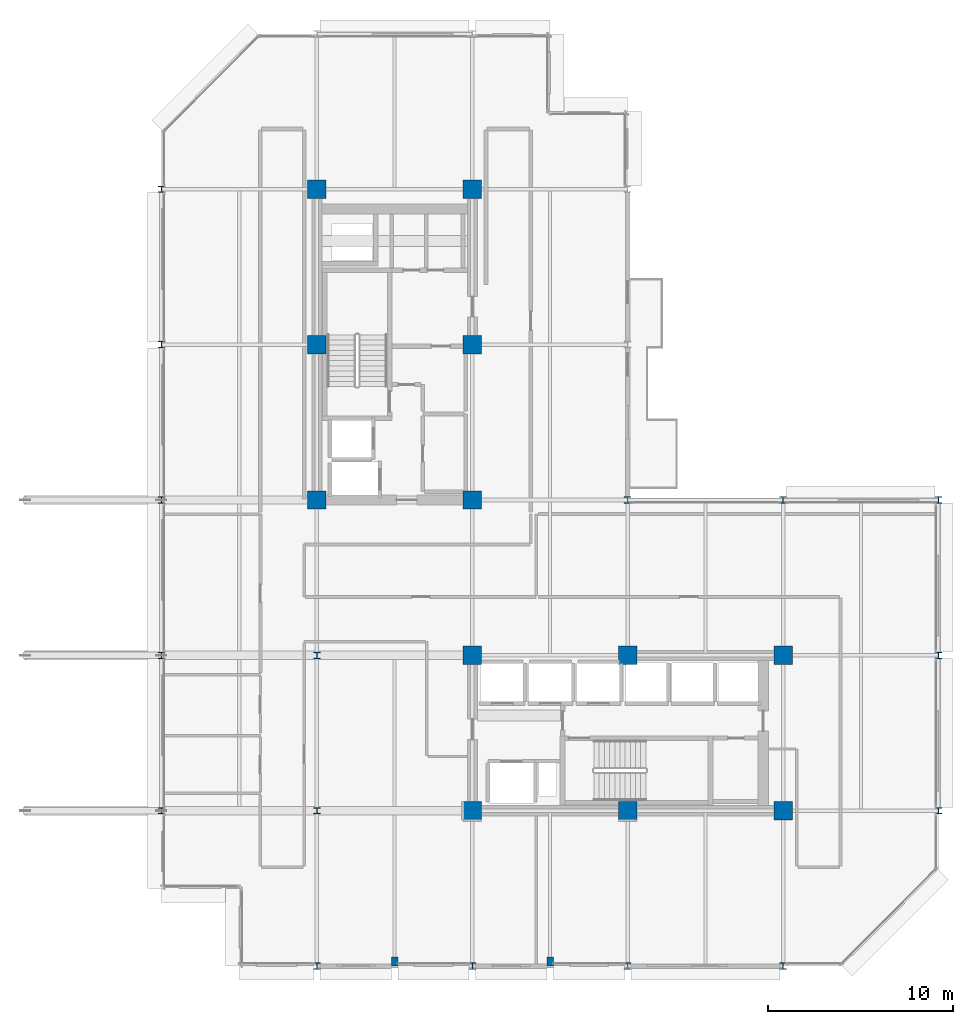
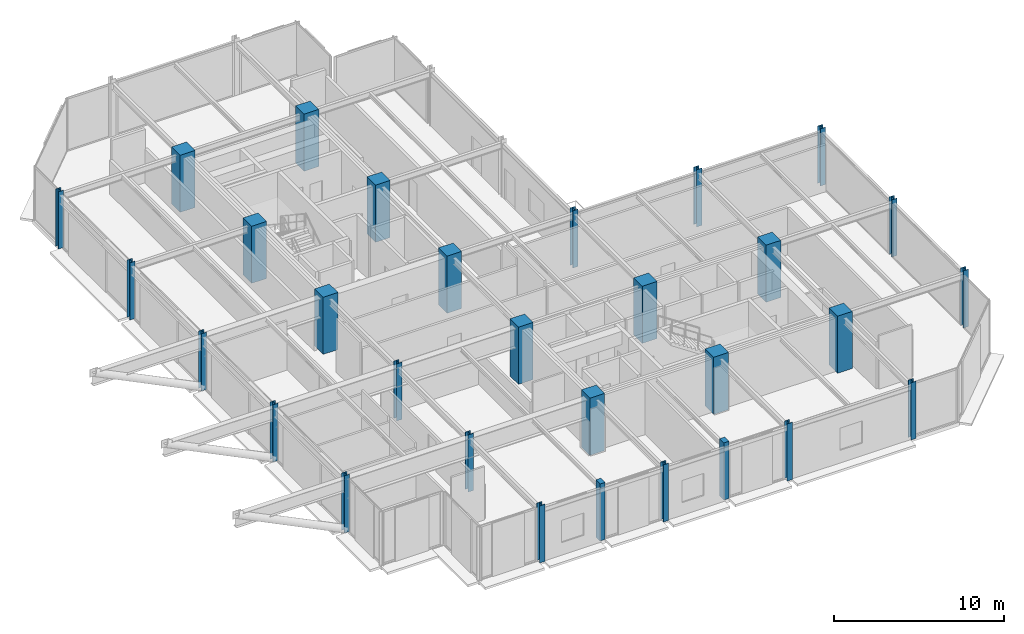
# One storey, part 1 of 30: 30 columns.
"""IFC4 building model written with IfcOpenShell, lengths in metres."""

from ifc_helpers import new_model, si_unit, direction, frame, origin, origin_2d, place, context, subcontext, project, spatial, rectangle, i_section, extrude, material, material_profile, profile_set, type_object, element, save


model = new_model("IFC4")

# Units and contexts
model_context = context("Model", 3, precision=1e-05, world=origin(), true_north=direction((0.0, 1.0)))
body_context = subcontext(model_context, "Body", "Model", "MODEL_VIEW")
ifc_project = project(units=[si_unit("LENGTHUNIT", "METRE"), si_unit("AREAUNIT", "SQUARE_METRE"), si_unit("VOLUMEUNIT", "CUBIC_METRE"), si_unit("PLANEANGLEUNIT", "RADIAN"), si_unit("MASSUNIT", "GRAM", prefix="KILO")], contexts=[model_context])

# Site, building, storey
site_placement = place(None, origin())
site = spatial("IfcSite", under=ifc_project, at=site_placement, CompositionType="ELEMENT")
building_placement = place(site_placement, origin())
building = spatial("IfcBuilding", under=site, at=building_placement, Name="Nerrivon Quay Data Exchange", CompositionType="ELEMENT")
storey_placement = place(building_placement, frame((0.0, 0.0, 167.300048828125)))
storey = spatial("IfcBuildingStorey", under=building, at=storey_placement, Name="L39", CompositionType="ELEMENT", Elevation=167.300048828125)

# Columns
ifc_material_1 = material(Name="Concrete S65 (65 MPa)", Category="concrete")
ifc_material_profile_1 = material_profile(ifc_material_1, rectangle(XDim=1.0, YDim=1.0, at=origin_2d()), Name="RC-COL-1000x1000")
ifc_profile_set_1 = profile_set([ifc_material_profile_1], Name="Concrete S65 (65 MPa)")
column_type_1 = type_object("IfcColumnType", Name="COL-C4-1000", PredefinedType="COLUMN", material=ifc_profile_set_1)
for number, where, z_axis, x_axis, name in (
    (1, (8.39990234375, 25.199951171875, 0.0), (0.0, 0.0, 1.0), (1.0, 0.0, 0.0), "L39 Column (8.4,25.2)"),
    (2, (8.39990234375, 33.60009765625, 0.0), (0.0, 0.0, 1.0), (1.0, 0.0, 0.0), "L39 Column (8.4,33.6)"),
    (3, (8.39990234375, 42.0, 0.0), (0.0, 0.0, 1.0), (1.0, 0.0, 0.0), "L39 Column (8.4,42.0)"),
    (4, (16.800048828125, 8.39990234375, 0.0), (0.0, 0.0, 1.0), (1.0, 0.0, 0.0), "L39 Column (16.8,8.4)"),
    (5, (16.800048828125, 16.800048828125, 0.0), (0.0, 0.0, 1.0), (1.0, 0.0, 0.0), "L39 Column (16.8,16.8)"),
    (6, (16.800048828125, 25.199951171875, 0.0), (0.0, 0.0, 1.0), (1.0, 0.0, 0.0), "L39 Column (16.8,25.2)"),
    (7, (16.800048828125, 33.60009765625, 0.0), (0.0, 0.0, 1.0), (1.0, 0.0, 0.0), "L39 Column (16.8,33.6)"),
    (8, (16.800048828125, 42.0, 0.0), (0.0, 0.0, 1.0), (1.0, 0.0, 0.0), "L39 Column (16.8,42.0)"),
    (9, (25.199951171875, 8.39990234375, 0.0), (0.0, 0.0, 1.0), (1.0, 0.0, 0.0), "L39 Column (25.2,8.4)"),
    (10, (25.199951171875, 16.800048828125, 0.0), (0.0, 0.0, 1.0), (1.0, 0.0, 0.0), "L39 Column (25.2,16.8)"),
    (11, (33.60009765625, 8.39990234375, 0.0), (0.0, 0.0, 1.0), (1.0, 0.0, 0.0), "L39 Column (33.6,8.4)"),
    (12, (33.60009765625, 16.800048828125, 0.0), (0.0, 0.0, 1.0), (1.0, 0.0, 0.0), "L39 Column (33.6,16.8)"),
):
    element("IfcColumn", number, at=place(storey_placement, frame(where, z_axis=z_axis, x_axis=x_axis)), inside=storey, type_object=column_type_1, Name=name, PredefinedType="COLUMN", context=body_context, shape_type="SweptSolid", body=[
        extrude(rectangle(XDim=1.0, YDim=1.0, at=origin_2d()), origin(), (0.0, 0.0, 1.0), 4.099853515625),
    ])
ifc_material_2 = material(Name="Steel Grade 350", Category="steel")
ifc_material_profile_2 = material_profile(ifc_material_2, i_section(OverallWidth=0.35009765625, OverallDepth=0.35009765625, WebThickness=0.02001953125, FlangeThickness=0.031982421875, at=origin_2d()), Name="350WC230")
ifc_profile_set_2 = profile_set([ifc_material_profile_2], Name="Steel Grade 350")
column_type_2 = type_object("IfcColumnType", Name="COL-SC3-350WC", PredefinedType="COLUMN", material=ifc_profile_set_2)
for number, where, z_axis, x_axis, name in (
    (13, (0.0, 8.39990234375, 0.0), (0.0, 0.0, 1.0), (1.0, 0.0, 0.0), "L39 Column (0.0,8.4)"),
    (14, (0.0, 16.800048828125, 0.0), (0.0, 0.0, 1.0), (1.0, 0.0, 0.0), "L39 Column (0.0,16.8)"),
    (15, (0.0, 25.199951171875, 0.0), (0.0, 0.0, 1.0), (1.0, 0.0, 0.0), "L39 Column (0.0,25.2)"),
    (16, (0.0, 33.60009765625, 0.0), (0.0, 0.0, 1.0), (1.0, 0.0, 0.0), "L39 Column (0.0,33.6)"),
    (17, (0.0, 42.0, 0.0), (0.0, 0.0, 1.0), (1.0, 0.0, 0.0), "L39 Column (0.0,42.0)"),
    (18, (8.39990234375, 0.0, 0.0), (0.0, 0.0, 1.0), (1.0, 0.0, 0.0), "L39 Column (8.4,0.0)"),
    (19, (8.39990234375, 8.39990234375, 0.0), (0.0, 0.0, 1.0), (1.0, 0.0, 0.0), "L39 Column (8.4,8.4)"),
    (20, (8.39990234375, 16.800048828125, 0.0), (0.0, 0.0, 1.0), (1.0, 0.0, 0.0), "L39 Column (8.4,16.8)"),
    (21, (16.800048828125, 0.0, 0.0), (0.0, 0.0, 1.0), (1.0, 0.0, 0.0), "L39 Column (16.8,0.0)"),
    (22, (25.199951171875, 0.0, 0.0), (0.0, 0.0, 1.0), (1.0, 0.0, 0.0), "L39 Column (25.2,0.0)"),
    (23, (25.199951171875, 25.199951171875, 0.0), (0.0, 0.0, 1.0), (1.0, 0.0, 0.0), "L39 Column (25.2,25.2)"),
    (24, (33.60009765625, 0.0, 0.0), (0.0, 0.0, 1.0), (1.0, 0.0, 0.0), "L39 Column (33.6,0.0)"),
    (25, (33.60009765625, 25.199951171875, 0.0), (0.0, 0.0, 1.0), (1.0, 0.0, 0.0), "L39 Column (33.6,25.2)"),
    (26, (42.0, 8.39990234375, 0.0), (0.0, 0.0, 1.0), (1.0, 0.0, 0.0), "L39 Column (42.0,8.4)"),
    (27, (42.0, 16.800048828125, 0.0), (0.0, 0.0, 1.0), (1.0, 0.0, 0.0), "L39 Column (42.0,16.8)"),
    (28, (42.0, 25.199951171875, 0.0), (0.0, 0.0, 1.0), (1.0, 0.0, 0.0), "L39 Column (42.0,25.2)"),
):
    element("IfcColumn", number, at=place(storey_placement, frame(where, z_axis=z_axis, x_axis=x_axis)), inside=storey, type_object=column_type_2, Name=name, PredefinedType="COLUMN", context=body_context, shape_type="SweptSolid", body=[
        extrude(i_section(OverallWidth=0.35009765625, OverallDepth=0.35009765625, WebThickness=0.02001953125, FlangeThickness=0.031982421875, at=origin_2d()), origin(), (0.0, 0.0, 1.0), 4.099853515625),
    ])
ifc_material_3 = material(Name="Concrete N50 (50 MPa)", Category="concrete")
ifc_material_profile_3 = material_profile(ifc_material_3, rectangle(XDim=0.35009765625, YDim=0.5, at=origin_2d()), Name="RC-PIL-500x350")
ifc_profile_set_3 = profile_set([ifc_material_profile_3], Name="Concrete N50 (50 MPa)")
column_type_3 = type_object("IfcColumnType", Name="PIL-P2-500x350", PredefinedType="PILASTER", material=ifc_profile_set_3)
for number, where, z_axis, x_axis, name in (
    (29, (12.60009765625, 0.25, 0.0), (0.0, 0.0, 1.0), (1.0, 0.0, 0.0), "L39 Facade Pilaster (12.6)"),
    (30, (21.0, 0.25, 0.0), (0.0, 0.0, 1.0), (1.0, 0.0, 0.0), "L39 Facade Pilaster (21.0)"),
):
    element("IfcColumn", number, at=place(storey_placement, frame(where, z_axis=z_axis, x_axis=x_axis)), inside=storey, type_object=column_type_3, Name=name, PredefinedType="PILASTER", context=body_context, shape_type="SweptSolid", body=[
        extrude(rectangle(XDim=0.35009765625, YDim=0.5, at=origin_2d()), origin(), (0.0, 0.0, 1.0), 4.099853515625),
    ])

save(model, "model.ifc")
